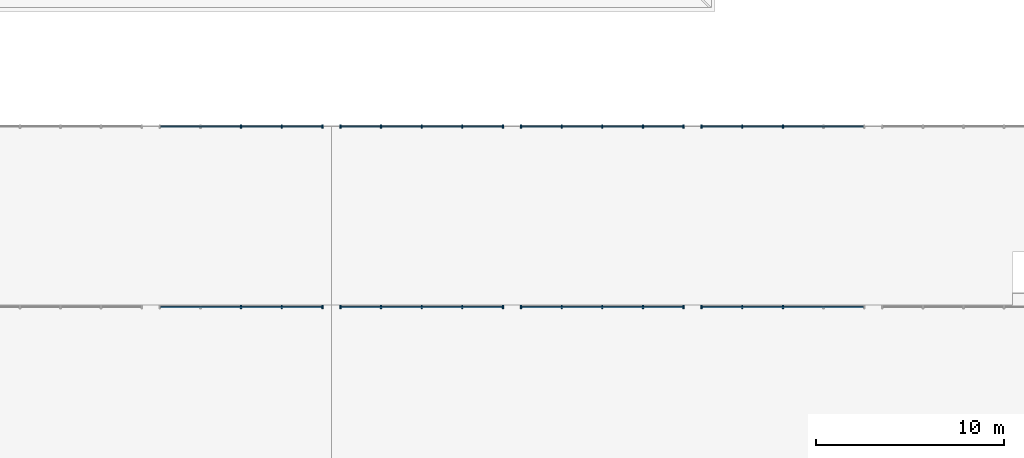
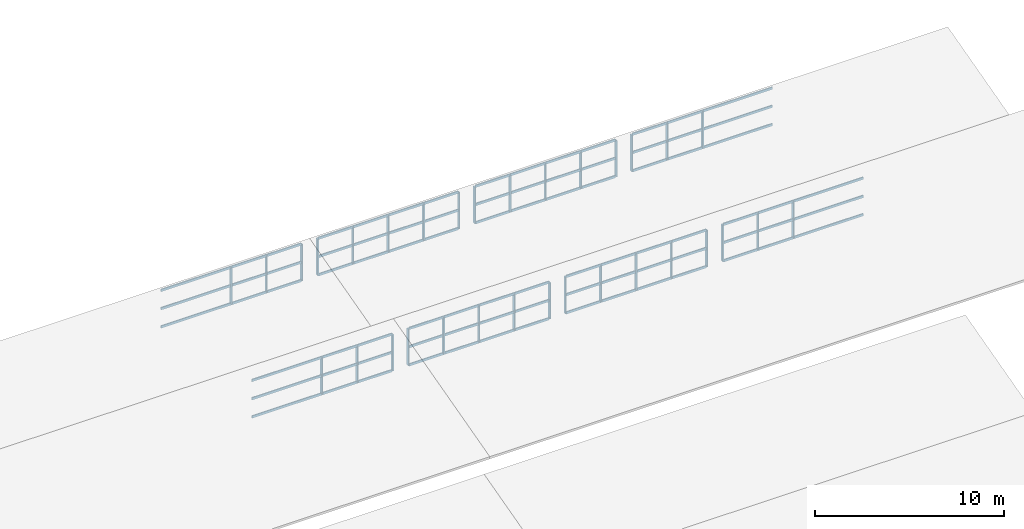
# One storey, part 7 of 18: 56 members, 8 elements without a shape of their own.
"""IFC4 building model written with IfcOpenShell, lengths in metres."""

import ifcopenshell
import ifcopenshell.guid

model = None  # the IFC model being written
_history = None  # IfcOwnerHistory: only IFC2X3 demands one
_inside = {}  # id of a spatial element -> (the spatial element, [elements in it])
_under = {}  # id of a project, library or spatial element -> (it, [spatial elements below it])
_declared = {}  # id of a project -> (the project, [libraries it declares])
_typed = {}  # id of a type object -> (the type object, [elements of that type])
_made_of = {}  # id of a material, layer set ... -> (it, [elements and type objects made of it])


def new_model(schema):
    """Start an empty IFC model of exactly this schema.

    Asked for "IFC4X3", IfcOpenShell would pick the latest addendum, in which some entities
    have other attributes; the version numbers below select the first issue.
    IFC2X3 requires an IfcOwnerHistory on every rooted entity: one is made here for all.
    """
    global model, _history
    if schema == "IFC4X3":
        model = ifcopenshell.file(schema_version=(4, 3, 0, 0))
    else:
        model = ifcopenshell.file(schema=schema)
    _inside.clear()
    _under.clear()
    _declared.clear()
    _typed.clear()
    _made_of.clear()
    _history = None
    if model.schema == "IFC2X3":
        org = make("IfcOrganization", Name="unknown")
        user = make(
            "IfcPersonAndOrganization",
            ThePerson=make("IfcPerson", FamilyName="unknown"),
            TheOrganization=org,
        )
        app = make(
            "IfcApplication",
            ApplicationDeveloper=org,
            Version="unknown",
            ApplicationFullName="unknown",
            ApplicationIdentifier="unknown",
        )
        _history = make(
            "IfcOwnerHistory",
            OwningUser=user,
            OwningApplication=app,
            ChangeAction="ADDED",
            CreationDate=0,
        )
    return model


def make(cls, **values):
    """One entity of the class cls with the attributes given. An attribute that is None is left unset."""
    return model.create_entity(
        cls, **{name: value for name, value in values.items() if value is not None}
    )


def rooted(cls, **values):
    """An entity with a GlobalId (a new one), such as an element, a storey or a relation."""
    return make(cls, GlobalId=ifcopenshell.guid.new(), OwnerHistory=_history, **values)


def si_unit(unit_type, name, prefix=None):
    """IfcSIUnit, for example si_unit("LENGTHUNIT", "METRE", prefix="MILLI")."""
    return make("IfcSIUnit", UnitType=unit_type, Prefix=prefix, Name=name)


def assignment(units):
    """IfcUnitAssignment: the units of a project."""
    return None if units is None else make("IfcUnitAssignment", Units=units)


def point(xyz):
    """IfcCartesianPoint."""
    return None if xyz is None else make("IfcCartesianPoint", Coordinates=xyz)


def direction(xyz):
    """IfcDirection."""
    return None if xyz is None else make("IfcDirection", DirectionRatios=xyz)


def frame(location, z_axis=None, x_axis=None):
    """IfcAxis2Placement3D, a coordinate frame: its origin and axes. An axis left out is left unset."""
    return make(
        "IfcAxis2Placement3D",
        Location=point(location),
        Axis=direction(z_axis),
        RefDirection=direction(x_axis),
    )


def frame_2d(location, x_axis=None):
    """IfcAxis2Placement2D, a coordinate frame in the plane: its origin and x axis."""
    return make(
        "IfcAxis2Placement2D", Location=point(location), RefDirection=direction(x_axis)
    )


def origin():
    """The frame at (0, 0, 0) with its axes left unset."""
    return frame((0.0, 0.0, 0.0))


def origin_2d():
    """The frame at (0, 0) in the plane with its x axis left unset."""
    return frame_2d((0.0, 0.0))


def place(relative_to, where):
    """IfcLocalPlacement: puts the frame where relative to a parent placement (None: the world)."""
    return make(
        "IfcLocalPlacement", PlacementRelTo=relative_to, RelativePlacement=where
    )


def context(
    kind, dimensions, precision=None, world=None, true_north=None, identifier=None
):
    """IfcGeometricRepresentationContext, for example the 3D "Model" context."""
    return make(
        "IfcGeometricRepresentationContext",
        ContextIdentifier=identifier,
        ContextType=kind,
        CoordinateSpaceDimension=dimensions,
        Precision=precision,
        WorldCoordinateSystem=world,
        TrueNorth=true_north,
    )


def subcontext(parent, identifier, kind, view, scale=None):
    """IfcGeometricRepresentationSubContext, for example "Body" below "Model"."""
    return make(
        "IfcGeometricRepresentationSubContext",
        ContextIdentifier=identifier,
        ContextType=kind,
        ParentContext=parent,
        TargetScale=scale,
        TargetView=view,
    )


def project(units=None, contexts=None):
    """IfcProject with its units and contexts."""
    return rooted(
        "IfcProject",
        Name="project",
        RepresentationContexts=contexts,
        UnitsInContext=assignment(units),
    )


def spatial(cls, under=None, at=None, **own):
    """A site, building, storey or space (cls), placed at a placement, below another one or the project."""
    s = rooted(cls, ObjectPlacement=at, **own)
    if under is not None:
        _under.setdefault(under.id(), (under, []))[1].append(s)
    return s


def profile(cls, at=None, kind="AREA", **sizes):
    """A parametric profile (cls). Its sizes go by their IFC names, for example OverallWidth=200.0."""
    return make(cls, ProfileType=kind, Position=at, **sizes)


def rectangle(**sizes):
    """IfcRectangleProfileDef."""
    return profile("IfcRectangleProfileDef", **sizes)


def extrude(swept, where, along, depth):
    """IfcExtrudedAreaSolid: the profile swept, set in the frame where, extruded along a direction by depth."""
    return make(
        "IfcExtrudedAreaSolid",
        SweptArea=swept,
        Position=where,
        ExtrudedDirection=direction(along),
        Depth=depth,
    )


def shape(context_of_items, identifier, shape_type, items):
    """IfcShapeRepresentation: the items that make up one representation, for example the "Body"."""
    return make(
        "IfcShapeRepresentation",
        ContextOfItems=context_of_items,
        RepresentationIdentifier=identifier,
        RepresentationType=shape_type,
        Items=items,
    )


def material(Name=None, Category=None):
    """IfcMaterial."""
    return make("IfcMaterial", Name=Name, Category=Category)


def layer(
    of_material, thickness, ventilated=None, Name=None, Category=None, Priority=None
):
    """IfcMaterialLayer: one layer of a wall or slab, of a material (None: an air gap)."""
    return make(
        "IfcMaterialLayer",
        Material=of_material,
        LayerThickness=thickness,
        IsVentilated=ventilated,
        Name=Name,
        Category=Category,
        Priority=Priority,
    )


def layer_set(layers, Name=None):
    """IfcMaterialLayerSet."""
    return make("IfcMaterialLayerSet", MaterialLayers=layers, LayerSetName=Name)


def material_profile(
    of_material, cross_section, Name=None, Category=None, Priority=None
):
    """IfcMaterialProfile: a cross section and its material."""
    return make(
        "IfcMaterialProfile",
        Name=Name,
        Material=of_material,
        Profile=cross_section,
        Priority=Priority,
        Category=Category,
    )


def profile_set(profiles, Name=None, composite=None):
    """IfcMaterialProfileSet."""
    return make(
        "IfcMaterialProfileSet",
        Name=Name,
        MaterialProfiles=profiles,
        CompositeProfile=composite,
    )


def made_of(thing, what):
    """Note that an element or type object is made of a material, layer set ...; save() writes the relation."""
    if what is not None:
        _made_of.setdefault(what.id(), (what, []))[1].append(thing)
    return thing


def type_object(cls, material=None, **own):
    """A type object (cls), such as IfcWallType, which elements share."""
    return made_of(rooted(cls, **own), material)


def element(
    cls,
    number,
    at=None,
    inside=None,
    cuts=None,
    type_object=None,
    material=None,
    context=None,
    identifier="Body",
    shape_type=None,
    held_by="IfcProductDefinitionShape",
    body=None,
    shapes=None,
    **own,
):
    """One element of the class cls, such as IfcWall. Its Tag is "e" and its number.

    at: its placement. inside: the storey or other place that contains it. cuts: it is an
    opening in that element (IfcRelVoidsElement). A single representation is given by context,
    identifier, shape_type and body (its items); several are given by shapes. held_by: the class
    of the entity that holds the representations. save() writes the other relations.
    """
    e = rooted(cls, Tag="e%d" % number, ObjectPlacement=at, **own)
    if body is not None:
        shapes = [shape(context, identifier, shape_type, body)]
    if shapes is not None:
        e.Representation = make(held_by, Representations=shapes)
    if inside is not None:
        _inside.setdefault(inside.id(), (inside, []))[1].append(e)
    if cuts is not None:
        rooted(
            "IfcRelVoidsElement", RelatingBuildingElement=cuts, RelatedOpeningElement=e
        )
    if type_object is not None:
        _typed.setdefault(type_object.id(), (type_object, []))[1].append(e)
    return made_of(e, material)


def aggregate(whole, parts):
    """IfcRelAggregates: a whole, such as a stair, and the parts it consists of."""
    return rooted("IfcRelAggregates", RelatingObject=whole, RelatedObjects=parts)


def save(model, path):
    """Write the relations noted so far, then the file.

    IfcRelAggregates (storeys below a building ...), IfcRelContainedInSpatialStructure (elements
    in a storey), IfcRelDefinesByType, IfcRelAssociatesMaterial and IfcRelDeclares: one each for
    every whole, place, type object, material and project.
    """
    for whole, parts in _under.values():
        aggregate(whole, parts)
    for where, things in _inside.values():
        rooted(
            "IfcRelContainedInSpatialStructure",
            RelatedElements=things,
            RelatingStructure=where,
        )
    for kind, things in _typed.values():
        rooted("IfcRelDefinesByType", RelatedObjects=things, RelatingType=kind)
    for what, things in _made_of.values():
        rooted("IfcRelAssociatesMaterial", RelatedObjects=things, RelatingMaterial=what)
    for by, libraries in _declared.values():
        rooted("IfcRelDeclares", RelatingContext=by, RelatedDefinitions=libraries)
    model.write(path)


model = new_model("IFC4")

# Units and contexts
model_context = context("Model", 3, precision=1e-05, world=origin(), true_north=direction((0.0, 1.0)))
body_context = subcontext(model_context, "Body", "Model", "MODEL_VIEW")
ifc_project = project(units=[si_unit("LENGTHUNIT", "METRE"), si_unit("AREAUNIT", "SQUARE_METRE"), si_unit("VOLUMEUNIT", "CUBIC_METRE"), si_unit("PLANEANGLEUNIT", "RADIAN"), si_unit("MASSUNIT", "GRAM", prefix="KILO")], contexts=[model_context])

# Site, building, storey
site_placement = place(None, origin())
site = spatial("IfcSite", under=ifc_project, at=site_placement, CompositionType="ELEMENT")
building_placement = place(site_placement, origin())
building = spatial("IfcBuilding", under=site, at=building_placement, Name="Bempovik Park Faculty of Sciences", CompositionType="ELEMENT")
storey_placement = place(building_placement, frame((0.0, 0.0, 50.10009765625)))
storey = spatial("IfcBuildingStorey", under=building, at=storey_placement, Name="Roof", CompositionType="ELEMENT", Elevation=50.10009765625)

# Curtain wall, members
ifc_material_1 = material(Name="Tempered laminated low-E glass", Category="glass")
ifc_layer = layer(ifc_material_1, 0.159912109375)
ifc_layer_set = layer_set([ifc_layer], Name="Tempered laminated low-E glass")
curtain_wall_type = type_object("IfcCurtainWallType", Name="CW-15 Curtain 8000x2550", PredefinedType="USERDEFINED", material=ifc_layer_set)
curtain_wall_1_placement = place(storey_placement, origin())
curtain_wall_1 = element("IfcCurtainWall", 1, at=curtain_wall_1_placement, inside=storey, type_object=curtain_wall_type, Name="V2 Atrium Sawtooth North-Light Clerestory Bay 1 (79.2-88.8)", ObjectType="NORTH LIGHT CLERESTORY", PredefinedType="USERDEFINED")
ifc_material_2 = material(Name="Anodised aluminium", Category="aluminium")
ifc_material_profile_1 = material_profile(ifc_material_2, rectangle(XDim=0.070068359375, YDim=0.179931640625, at=origin_2d()), Name="ALU-M 70x180")
ifc_profile_set_1 = profile_set([ifc_material_profile_1], Name="Anodised aluminium")
member_type_1 = type_object("IfcMemberType", Name="ML-26 ALU-M 70x180", PredefinedType="MULLION", material=ifc_profile_set_1)
member_1_placement = place(storey_placement, frame((84.0, 77.280029296875, -25.97021484375), z_axis=(0.0, 0.0, 1.0), x_axis=(1.0, 0.0, 0.0)))
member_1 = element("IfcMember", 2, at=member_1_placement, type_object=member_type_1, Name="CW-NL-V2-B1-792 Mullion 2", PredefinedType="MULLION", context=body_context, shape_type="SweptSolid", body=[
    extrude(rectangle(XDim=0.070068359375, YDim=0.179931640625, at=origin_2d()), origin(), (0.0, 0.0, 1.0), 2.3525390625),
])
member_2_placement = place(storey_placement, frame((86.159912109375, 77.280029296875, -25.97021484375), z_axis=(0.0, 0.0, 1.0), x_axis=(1.0, 0.0, 0.0)))
member_2 = element("IfcMember", 3, at=member_2_placement, type_object=member_type_1, Name="CW-NL-V2-B1-792 Mullion 3", PredefinedType="MULLION", context=body_context, shape_type="SweptSolid", body=[
    extrude(rectangle(XDim=0.070068359375, YDim=0.179931640625, at=origin_2d()), origin(), (0.0, 0.0, 1.0), 2.3525390625),
])
member_3_placement = place(storey_placement, frame((88.320068359375, 77.280029296875, -25.97021484375), z_axis=(0.0, 0.0, 1.0), x_axis=(1.0, 0.0, 0.0)))
member_3 = element("IfcMember", 4, at=member_3_placement, type_object=member_type_1, Name="CW-NL-V2-B1-792 Mullion 4", PredefinedType="MULLION", context=body_context, shape_type="SweptSolid", body=[
    extrude(rectangle(XDim=0.070068359375, YDim=0.179931640625, at=origin_2d()), origin(), (0.0, 0.0, 1.0), 2.3525390625),
])

curtain_wall_2_placement = place(storey_placement, origin())
curtain_wall_2 = element("IfcCurtainWall", 5, at=curtain_wall_2_placement, inside=storey, type_object=curtain_wall_type, Name="V2 Atrium Sawtooth North-Light Clerestory Bay 1 (88.8-98.4)", ObjectType="NORTH LIGHT CLERESTORY", PredefinedType="USERDEFINED")
member_4_placement = place(storey_placement, frame((89.280029296875, 77.280029296875, -25.97021484375), z_axis=(0.0, 0.0, 1.0), x_axis=(1.0, 0.0, 0.0)))
member_4 = element("IfcMember", 6, at=member_4_placement, type_object=member_type_1, Name="CW-NL-V2-B1-888 Mullion 0", PredefinedType="MULLION", context=body_context, shape_type="SweptSolid", body=[
    extrude(rectangle(XDim=0.070068359375, YDim=0.179931640625, at=origin_2d()), origin(), (0.0, 0.0, 1.0), 2.3525390625),
])
member_5_placement = place(storey_placement, frame((91.43994140625, 77.280029296875, -25.97021484375), z_axis=(0.0, 0.0, 1.0), x_axis=(1.0, 0.0, 0.0)))
member_5 = element("IfcMember", 7, at=member_5_placement, type_object=member_type_1, Name="CW-NL-V2-B1-888 Mullion 1", PredefinedType="MULLION", context=body_context, shape_type="SweptSolid", body=[
    extrude(rectangle(XDim=0.070068359375, YDim=0.179931640625, at=origin_2d()), origin(), (0.0, 0.0, 1.0), 2.3525390625),
])
member_6_placement = place(storey_placement, frame((93.60009765625, 77.280029296875, -25.97021484375), z_axis=(0.0, 0.0, 1.0), x_axis=(1.0, 0.0, 0.0)))
member_6 = element("IfcMember", 8, at=member_6_placement, type_object=member_type_1, Name="CW-NL-V2-B1-888 Mullion 2", PredefinedType="MULLION", context=body_context, shape_type="SweptSolid", body=[
    extrude(rectangle(XDim=0.070068359375, YDim=0.179931640625, at=origin_2d()), origin(), (0.0, 0.0, 1.0), 2.3525390625),
])
member_7_placement = place(storey_placement, frame((95.760009765625, 77.280029296875, -25.97021484375), z_axis=(0.0, 0.0, 1.0), x_axis=(1.0, 0.0, 0.0)))
member_7 = element("IfcMember", 9, at=member_7_placement, type_object=member_type_1, Name="CW-NL-V2-B1-888 Mullion 3", PredefinedType="MULLION", context=body_context, shape_type="SweptSolid", body=[
    extrude(rectangle(XDim=0.070068359375, YDim=0.179931640625, at=origin_2d()), origin(), (0.0, 0.0, 1.0), 2.3525390625),
])
member_8_placement = place(storey_placement, frame((97.919921875, 77.280029296875, -25.97021484375), z_axis=(0.0, 0.0, 1.0), x_axis=(1.0, 0.0, 0.0)))
member_8 = element("IfcMember", 10, at=member_8_placement, type_object=member_type_1, Name="CW-NL-V2-B1-888 Mullion 4", PredefinedType="MULLION", context=body_context, shape_type="SweptSolid", body=[
    extrude(rectangle(XDim=0.070068359375, YDim=0.179931640625, at=origin_2d()), origin(), (0.0, 0.0, 1.0), 2.3525390625),
])

curtain_wall_3_placement = place(storey_placement, origin())
curtain_wall_3 = element("IfcCurtainWall", 11, at=curtain_wall_3_placement, inside=storey, type_object=curtain_wall_type, Name="V2 Atrium Sawtooth North-Light Clerestory Bay 1 (98.4-108.0)", ObjectType="NORTH LIGHT CLERESTORY", PredefinedType="USERDEFINED")
member_9_placement = place(storey_placement, frame((98.8798828125, 77.280029296875, -25.97021484375), z_axis=(0.0, 0.0, 1.0), x_axis=(1.0, 0.0, 0.0)))
member_9 = element("IfcMember", 12, at=member_9_placement, type_object=member_type_1, Name="CW-NL-V2-B1-984 Mullion 0", PredefinedType="MULLION", context=body_context, shape_type="SweptSolid", body=[
    extrude(rectangle(XDim=0.070068359375, YDim=0.179931640625, at=origin_2d()), origin(), (0.0, 0.0, 1.0), 2.3525390625),
])
member_10_placement = place(storey_placement, frame((101.0400390625, 77.280029296875, -25.97021484375), z_axis=(0.0, 0.0, 1.0), x_axis=(1.0, 0.0, 0.0)))
member_10 = element("IfcMember", 13, at=member_10_placement, type_object=member_type_1, Name="CW-NL-V2-B1-984 Mullion 1", PredefinedType="MULLION", context=body_context, shape_type="SweptSolid", body=[
    extrude(rectangle(XDim=0.070068359375, YDim=0.179931640625, at=origin_2d()), origin(), (0.0, 0.0, 1.0), 2.3525390625),
])
member_11_placement = place(storey_placement, frame((103.199951171875, 77.280029296875, -25.97021484375), z_axis=(0.0, 0.0, 1.0), x_axis=(1.0, 0.0, 0.0)))
member_11 = element("IfcMember", 14, at=member_11_placement, type_object=member_type_1, Name="CW-NL-V2-B1-984 Mullion 2", PredefinedType="MULLION", context=body_context, shape_type="SweptSolid", body=[
    extrude(rectangle(XDim=0.070068359375, YDim=0.179931640625, at=origin_2d()), origin(), (0.0, 0.0, 1.0), 2.3525390625),
])
member_12_placement = place(storey_placement, frame((105.360107421875, 77.280029296875, -25.97021484375), z_axis=(0.0, 0.0, 1.0), x_axis=(1.0, 0.0, 0.0)))
member_12 = element("IfcMember", 15, at=member_12_placement, type_object=member_type_1, Name="CW-NL-V2-B1-984 Mullion 3", PredefinedType="MULLION", context=body_context, shape_type="SweptSolid", body=[
    extrude(rectangle(XDim=0.070068359375, YDim=0.179931640625, at=origin_2d()), origin(), (0.0, 0.0, 1.0), 2.3525390625),
])
member_13_placement = place(storey_placement, frame((107.52001953125, 77.280029296875, -25.97021484375), z_axis=(0.0, 0.0, 1.0), x_axis=(1.0, 0.0, 0.0)))
member_13 = element("IfcMember", 16, at=member_13_placement, type_object=member_type_1, Name="CW-NL-V2-B1-984 Mullion 4", PredefinedType="MULLION", context=body_context, shape_type="SweptSolid", body=[
    extrude(rectangle(XDim=0.070068359375, YDim=0.179931640625, at=origin_2d()), origin(), (0.0, 0.0, 1.0), 2.3525390625),
])

curtain_wall_4_placement = place(storey_placement, origin())
curtain_wall_4 = element("IfcCurtainWall", 17, at=curtain_wall_4_placement, inside=storey, type_object=curtain_wall_type, Name="V2 Atrium Sawtooth North-Light Clerestory Bay 1 (108.0-117.6)", ObjectType="NORTH LIGHT CLERESTORY", PredefinedType="USERDEFINED")
member_14_placement = place(storey_placement, frame((108.47998046875, 77.280029296875, -25.97021484375), z_axis=(0.0, 0.0, 1.0), x_axis=(1.0, 0.0, 0.0)))
member_14 = element("IfcMember", 18, at=member_14_placement, type_object=member_type_1, Name="CW-NL-V2-B1-1080 Mullion 0", PredefinedType="MULLION", context=body_context, shape_type="SweptSolid", body=[
    extrude(rectangle(XDim=0.070068359375, YDim=0.179931640625, at=origin_2d()), origin(), (0.0, 0.0, 1.0), 2.3525390625),
])
member_15_placement = place(storey_placement, frame((110.639892578125, 77.280029296875, -25.97021484375), z_axis=(0.0, 0.0, 1.0), x_axis=(1.0, 0.0, 0.0)))
member_15 = element("IfcMember", 19, at=member_15_placement, type_object=member_type_1, Name="CW-NL-V2-B1-1080 Mullion 1", PredefinedType="MULLION", context=body_context, shape_type="SweptSolid", body=[
    extrude(rectangle(XDim=0.070068359375, YDim=0.179931640625, at=origin_2d()), origin(), (0.0, 0.0, 1.0), 2.3525390625),
])
member_16_placement = place(storey_placement, frame((112.800048828125, 77.280029296875, -25.97021484375), z_axis=(0.0, 0.0, 1.0), x_axis=(1.0, 0.0, 0.0)))
member_16 = element("IfcMember", 20, at=member_16_placement, type_object=member_type_1, Name="CW-NL-V2-B1-1080 Mullion 2", PredefinedType="MULLION", context=body_context, shape_type="SweptSolid", body=[
    extrude(rectangle(XDim=0.070068359375, YDim=0.179931640625, at=origin_2d()), origin(), (0.0, 0.0, 1.0), 2.3525390625),
])

curtain_wall_5_placement = place(storey_placement, origin())
curtain_wall_5 = element("IfcCurtainWall", 21, at=curtain_wall_5_placement, inside=storey, type_object=curtain_wall_type, Name="V2 Atrium Sawtooth North-Light Clerestory Bay 2 (79.2-88.8)", ObjectType="NORTH LIGHT CLERESTORY", PredefinedType="USERDEFINED")
member_17_placement = place(storey_placement, frame((84.0, 86.8798828125, -25.97021484375), z_axis=(0.0, 0.0, 1.0), x_axis=(1.0, 0.0, 0.0)))
member_17 = element("IfcMember", 22, at=member_17_placement, type_object=member_type_1, Name="CW-NL-V2-B2-792 Mullion 2", PredefinedType="MULLION", context=body_context, shape_type="SweptSolid", body=[
    extrude(rectangle(XDim=0.070068359375, YDim=0.179931640625, at=origin_2d()), origin(), (0.0, 0.0, 1.0), 2.3525390625),
])
member_18_placement = place(storey_placement, frame((86.159912109375, 86.8798828125, -25.97021484375), z_axis=(0.0, 0.0, 1.0), x_axis=(1.0, 0.0, 0.0)))
member_18 = element("IfcMember", 23, at=member_18_placement, type_object=member_type_1, Name="CW-NL-V2-B2-792 Mullion 3", PredefinedType="MULLION", context=body_context, shape_type="SweptSolid", body=[
    extrude(rectangle(XDim=0.070068359375, YDim=0.179931640625, at=origin_2d()), origin(), (0.0, 0.0, 1.0), 2.3525390625),
])
member_19_placement = place(storey_placement, frame((88.320068359375, 86.8798828125, -25.97021484375), z_axis=(0.0, 0.0, 1.0), x_axis=(1.0, 0.0, 0.0)))
member_19 = element("IfcMember", 24, at=member_19_placement, type_object=member_type_1, Name="CW-NL-V2-B2-792 Mullion 4", PredefinedType="MULLION", context=body_context, shape_type="SweptSolid", body=[
    extrude(rectangle(XDim=0.070068359375, YDim=0.179931640625, at=origin_2d()), origin(), (0.0, 0.0, 1.0), 2.3525390625),
])

curtain_wall_6_placement = place(storey_placement, origin())
curtain_wall_6 = element("IfcCurtainWall", 25, at=curtain_wall_6_placement, inside=storey, type_object=curtain_wall_type, Name="V2 Atrium Sawtooth North-Light Clerestory Bay 2 (88.8-98.4)", ObjectType="NORTH LIGHT CLERESTORY", PredefinedType="USERDEFINED")
member_20_placement = place(storey_placement, frame((89.280029296875, 86.8798828125, -25.97021484375), z_axis=(0.0, 0.0, 1.0), x_axis=(1.0, 0.0, 0.0)))
member_20 = element("IfcMember", 26, at=member_20_placement, type_object=member_type_1, Name="CW-NL-V2-B2-888 Mullion 0", PredefinedType="MULLION", context=body_context, shape_type="SweptSolid", body=[
    extrude(rectangle(XDim=0.070068359375, YDim=0.179931640625, at=origin_2d()), origin(), (0.0, 0.0, 1.0), 2.3525390625),
])
member_21_placement = place(storey_placement, frame((91.43994140625, 86.8798828125, -25.97021484375), z_axis=(0.0, 0.0, 1.0), x_axis=(1.0, 0.0, 0.0)))
member_21 = element("IfcMember", 27, at=member_21_placement, type_object=member_type_1, Name="CW-NL-V2-B2-888 Mullion 1", PredefinedType="MULLION", context=body_context, shape_type="SweptSolid", body=[
    extrude(rectangle(XDim=0.070068359375, YDim=0.179931640625, at=origin_2d()), origin(), (0.0, 0.0, 1.0), 2.3525390625),
])
member_22_placement = place(storey_placement, frame((93.60009765625, 86.8798828125, -25.97021484375), z_axis=(0.0, 0.0, 1.0), x_axis=(1.0, 0.0, 0.0)))
member_22 = element("IfcMember", 28, at=member_22_placement, type_object=member_type_1, Name="CW-NL-V2-B2-888 Mullion 2", PredefinedType="MULLION", context=body_context, shape_type="SweptSolid", body=[
    extrude(rectangle(XDim=0.070068359375, YDim=0.179931640625, at=origin_2d()), origin(), (0.0, 0.0, 1.0), 2.3525390625),
])
member_23_placement = place(storey_placement, frame((95.760009765625, 86.8798828125, -25.97021484375), z_axis=(0.0, 0.0, 1.0), x_axis=(1.0, 0.0, 0.0)))
member_23 = element("IfcMember", 29, at=member_23_placement, type_object=member_type_1, Name="CW-NL-V2-B2-888 Mullion 3", PredefinedType="MULLION", context=body_context, shape_type="SweptSolid", body=[
    extrude(rectangle(XDim=0.070068359375, YDim=0.179931640625, at=origin_2d()), origin(), (0.0, 0.0, 1.0), 2.3525390625),
])
member_24_placement = place(storey_placement, frame((97.919921875, 86.8798828125, -25.97021484375), z_axis=(0.0, 0.0, 1.0), x_axis=(1.0, 0.0, 0.0)))
member_24 = element("IfcMember", 30, at=member_24_placement, type_object=member_type_1, Name="CW-NL-V2-B2-888 Mullion 4", PredefinedType="MULLION", context=body_context, shape_type="SweptSolid", body=[
    extrude(rectangle(XDim=0.070068359375, YDim=0.179931640625, at=origin_2d()), origin(), (0.0, 0.0, 1.0), 2.3525390625),
])

curtain_wall_7_placement = place(storey_placement, origin())
curtain_wall_7 = element("IfcCurtainWall", 31, at=curtain_wall_7_placement, inside=storey, type_object=curtain_wall_type, Name="V2 Atrium Sawtooth North-Light Clerestory Bay 2 (98.4-108.0)", ObjectType="NORTH LIGHT CLERESTORY", PredefinedType="USERDEFINED")
member_25_placement = place(storey_placement, frame((98.8798828125, 86.8798828125, -25.97021484375), z_axis=(0.0, 0.0, 1.0), x_axis=(1.0, 0.0, 0.0)))
member_25 = element("IfcMember", 32, at=member_25_placement, type_object=member_type_1, Name="CW-NL-V2-B2-984 Mullion 0", PredefinedType="MULLION", context=body_context, shape_type="SweptSolid", body=[
    extrude(rectangle(XDim=0.070068359375, YDim=0.179931640625, at=origin_2d()), origin(), (0.0, 0.0, 1.0), 2.3525390625),
])
member_26_placement = place(storey_placement, frame((101.0400390625, 86.8798828125, -25.97021484375), z_axis=(0.0, 0.0, 1.0), x_axis=(1.0, 0.0, 0.0)))
member_26 = element("IfcMember", 33, at=member_26_placement, type_object=member_type_1, Name="CW-NL-V2-B2-984 Mullion 1", PredefinedType="MULLION", context=body_context, shape_type="SweptSolid", body=[
    extrude(rectangle(XDim=0.070068359375, YDim=0.179931640625, at=origin_2d()), origin(), (0.0, 0.0, 1.0), 2.3525390625),
])
member_27_placement = place(storey_placement, frame((103.199951171875, 86.8798828125, -25.97021484375), z_axis=(0.0, 0.0, 1.0), x_axis=(1.0, 0.0, 0.0)))
member_27 = element("IfcMember", 34, at=member_27_placement, type_object=member_type_1, Name="CW-NL-V2-B2-984 Mullion 2", PredefinedType="MULLION", context=body_context, shape_type="SweptSolid", body=[
    extrude(rectangle(XDim=0.070068359375, YDim=0.179931640625, at=origin_2d()), origin(), (0.0, 0.0, 1.0), 2.3525390625),
])
member_28_placement = place(storey_placement, frame((105.360107421875, 86.8798828125, -25.97021484375), z_axis=(0.0, 0.0, 1.0), x_axis=(1.0, 0.0, 0.0)))
member_28 = element("IfcMember", 35, at=member_28_placement, type_object=member_type_1, Name="CW-NL-V2-B2-984 Mullion 3", PredefinedType="MULLION", context=body_context, shape_type="SweptSolid", body=[
    extrude(rectangle(XDim=0.070068359375, YDim=0.179931640625, at=origin_2d()), origin(), (0.0, 0.0, 1.0), 2.3525390625),
])
member_29_placement = place(storey_placement, frame((107.52001953125, 86.8798828125, -25.97021484375), z_axis=(0.0, 0.0, 1.0), x_axis=(1.0, 0.0, 0.0)))
member_29 = element("IfcMember", 36, at=member_29_placement, type_object=member_type_1, Name="CW-NL-V2-B2-984 Mullion 4", PredefinedType="MULLION", context=body_context, shape_type="SweptSolid", body=[
    extrude(rectangle(XDim=0.070068359375, YDim=0.179931640625, at=origin_2d()), origin(), (0.0, 0.0, 1.0), 2.3525390625),
])

curtain_wall_8_placement = place(storey_placement, origin())
curtain_wall_8 = element("IfcCurtainWall", 37, at=curtain_wall_8_placement, inside=storey, type_object=curtain_wall_type, Name="V2 Atrium Sawtooth North-Light Clerestory Bay 2 (108.0-117.6)", ObjectType="NORTH LIGHT CLERESTORY", PredefinedType="USERDEFINED")
member_30_placement = place(storey_placement, frame((108.47998046875, 86.8798828125, -25.97021484375), z_axis=(0.0, 0.0, 1.0), x_axis=(1.0, 0.0, 0.0)))
member_30 = element("IfcMember", 38, at=member_30_placement, type_object=member_type_1, Name="CW-NL-V2-B2-1080 Mullion 0", PredefinedType="MULLION", context=body_context, shape_type="SweptSolid", body=[
    extrude(rectangle(XDim=0.070068359375, YDim=0.179931640625, at=origin_2d()), origin(), (0.0, 0.0, 1.0), 2.3525390625),
])
member_31_placement = place(storey_placement, frame((110.639892578125, 86.8798828125, -25.97021484375), z_axis=(0.0, 0.0, 1.0), x_axis=(1.0, 0.0, 0.0)))
member_31 = element("IfcMember", 39, at=member_31_placement, type_object=member_type_1, Name="CW-NL-V2-B2-1080 Mullion 1", PredefinedType="MULLION", context=body_context, shape_type="SweptSolid", body=[
    extrude(rectangle(XDim=0.070068359375, YDim=0.179931640625, at=origin_2d()), origin(), (0.0, 0.0, 1.0), 2.3525390625),
])
member_32_placement = place(storey_placement, frame((112.800048828125, 86.8798828125, -25.97021484375), z_axis=(0.0, 0.0, 1.0), x_axis=(1.0, 0.0, 0.0)))
member_32 = element("IfcMember", 40, at=member_32_placement, type_object=member_type_1, Name="CW-NL-V2-B2-1080 Mullion 2", PredefinedType="MULLION", context=body_context, shape_type="SweptSolid", body=[
    extrude(rectangle(XDim=0.070068359375, YDim=0.179931640625, at=origin_2d()), origin(), (0.0, 0.0, 1.0), 2.3525390625),
])

# Member
ifc_material_profile_2 = material_profile(ifc_material_2, rectangle(XDim=0.070068359375, YDim=0.14990234375, at=origin_2d()), Name="ALU-T 70x150")
ifc_profile_set_2 = profile_set([ifc_material_profile_2], Name="Anodised aluminium")
member_type_2 = type_object("IfcMemberType", Name="TR-21 ALU-T 70x150", PredefinedType="USERDEFINED", material=ifc_profile_set_2)
member_33_placement = place(storey_placement, frame((79.719970703125, 77.280029296875, -25.97021484375), z_axis=(1.0, 0.0, 0.0), x_axis=(0.0, 1.0, 0.0)))
member_33 = element("IfcMember", 41, at=member_33_placement, type_object=member_type_2, Name="CW-NL-V2-B1-792 Transom 0", ObjectType="TRANSOM", PredefinedType="USERDEFINED", context=body_context, shape_type="SweptSolid", body=[
    extrude(rectangle(XDim=0.070068359375, YDim=0.14990234375, at=origin_2d()), origin(), (0.0, 0.0, 1.0), 8.56005859375),
])

member_34_placement = place(storey_placement, frame((79.719970703125, 77.280029296875, -24.7939453125), z_axis=(1.0, 0.0, 0.0), x_axis=(0.0, 1.0, 0.0)))
member_34 = element("IfcMember", 42, at=member_34_placement, type_object=member_type_2, Name="CW-NL-V2-B1-792 Transom 1", ObjectType="TRANSOM", PredefinedType="USERDEFINED", context=body_context, shape_type="SweptSolid", body=[
    extrude(rectangle(XDim=0.070068359375, YDim=0.14990234375, at=origin_2d()), origin(), (0.0, 0.0, 1.0), 8.56005859375),
])

member_35_placement = place(storey_placement, frame((79.719970703125, 77.280029296875, -23.61767578125), z_axis=(1.0, 0.0, 0.0), x_axis=(0.0, 1.0, 0.0)))
member_35 = element("IfcMember", 43, at=member_35_placement, type_object=member_type_2, Name="CW-NL-V2-B1-792 Transom 2", ObjectType="TRANSOM", PredefinedType="USERDEFINED", context=body_context, shape_type="SweptSolid", body=[
    extrude(rectangle(XDim=0.070068359375, YDim=0.14990234375, at=origin_2d()), origin(), (0.0, 0.0, 1.0), 8.56005859375),
])

aggregate(curtain_wall_1, [member_1, member_2, member_3, member_33, member_34, member_35])

member_36_placement = place(storey_placement, frame((89.320068359375, 77.280029296875, -25.97021484375), z_axis=(1.0, 0.0, 0.0), x_axis=(0.0, 1.0, 0.0)))
member_36 = element("IfcMember", 44, at=member_36_placement, type_object=member_type_2, Name="CW-NL-V2-B1-888 Transom 0", ObjectType="TRANSOM", PredefinedType="USERDEFINED", context=body_context, shape_type="SweptSolid", body=[
    extrude(rectangle(XDim=0.070068359375, YDim=0.14990234375, at=origin_2d()), origin(), (0.0, 0.0, 1.0), 8.559814453125),
])

member_37_placement = place(storey_placement, frame((89.320068359375, 77.280029296875, -24.7939453125), z_axis=(1.0, 0.0, 0.0), x_axis=(0.0, 1.0, 0.0)))
member_37 = element("IfcMember", 45, at=member_37_placement, type_object=member_type_2, Name="CW-NL-V2-B1-888 Transom 1", ObjectType="TRANSOM", PredefinedType="USERDEFINED", context=body_context, shape_type="SweptSolid", body=[
    extrude(rectangle(XDim=0.070068359375, YDim=0.14990234375, at=origin_2d()), origin(), (0.0, 0.0, 1.0), 8.559814453125),
])

member_38_placement = place(storey_placement, frame((89.320068359375, 77.280029296875, -23.61767578125), z_axis=(1.0, 0.0, 0.0), x_axis=(0.0, 1.0, 0.0)))
member_38 = element("IfcMember", 46, at=member_38_placement, type_object=member_type_2, Name="CW-NL-V2-B1-888 Transom 2", ObjectType="TRANSOM", PredefinedType="USERDEFINED", context=body_context, shape_type="SweptSolid", body=[
    extrude(rectangle(XDim=0.070068359375, YDim=0.14990234375, at=origin_2d()), origin(), (0.0, 0.0, 1.0), 8.559814453125),
])

aggregate(curtain_wall_2, [member_4, member_5, member_6, member_7, member_8, member_36, member_37, member_38])

member_39_placement = place(storey_placement, frame((98.919921875, 77.280029296875, -25.97021484375), z_axis=(1.0, 0.0, 0.0), x_axis=(0.0, 1.0, 0.0)))
member_39 = element("IfcMember", 47, at=member_39_placement, type_object=member_type_2, Name="CW-NL-V2-B1-984 Transom 0", ObjectType="TRANSOM", PredefinedType="USERDEFINED", context=body_context, shape_type="SweptSolid", body=[
    extrude(rectangle(XDim=0.070068359375, YDim=0.14990234375, at=origin_2d()), origin(), (0.0, 0.0, 1.0), 8.56005859375),
])

member_40_placement = place(storey_placement, frame((98.919921875, 77.280029296875, -24.7939453125), z_axis=(1.0, 0.0, 0.0), x_axis=(0.0, 1.0, 0.0)))
member_40 = element("IfcMember", 48, at=member_40_placement, type_object=member_type_2, Name="CW-NL-V2-B1-984 Transom 1", ObjectType="TRANSOM", PredefinedType="USERDEFINED", context=body_context, shape_type="SweptSolid", body=[
    extrude(rectangle(XDim=0.070068359375, YDim=0.14990234375, at=origin_2d()), origin(), (0.0, 0.0, 1.0), 8.56005859375),
])

member_41_placement = place(storey_placement, frame((98.919921875, 77.280029296875, -23.61767578125), z_axis=(1.0, 0.0, 0.0), x_axis=(0.0, 1.0, 0.0)))
member_41 = element("IfcMember", 49, at=member_41_placement, type_object=member_type_2, Name="CW-NL-V2-B1-984 Transom 2", ObjectType="TRANSOM", PredefinedType="USERDEFINED", context=body_context, shape_type="SweptSolid", body=[
    extrude(rectangle(XDim=0.070068359375, YDim=0.14990234375, at=origin_2d()), origin(), (0.0, 0.0, 1.0), 8.56005859375),
])

aggregate(curtain_wall_3, [member_9, member_10, member_11, member_12, member_13, member_39, member_40, member_41])

member_42_placement = place(storey_placement, frame((108.52001953125, 77.280029296875, -25.97021484375), z_axis=(1.0, 0.0, 0.0), x_axis=(0.0, 1.0, 0.0)))
member_42 = element("IfcMember", 50, at=member_42_placement, type_object=member_type_2, Name="CW-NL-V2-B1-1080 Transom 0", ObjectType="TRANSOM", PredefinedType="USERDEFINED", context=body_context, shape_type="SweptSolid", body=[
    extrude(rectangle(XDim=0.070068359375, YDim=0.14990234375, at=origin_2d()), origin(), (0.0, 0.0, 1.0), 8.56005859375),
])

member_43_placement = place(storey_placement, frame((108.52001953125, 77.280029296875, -24.7939453125), z_axis=(1.0, 0.0, 0.0), x_axis=(0.0, 1.0, 0.0)))
member_43 = element("IfcMember", 51, at=member_43_placement, type_object=member_type_2, Name="CW-NL-V2-B1-1080 Transom 1", ObjectType="TRANSOM", PredefinedType="USERDEFINED", context=body_context, shape_type="SweptSolid", body=[
    extrude(rectangle(XDim=0.070068359375, YDim=0.14990234375, at=origin_2d()), origin(), (0.0, 0.0, 1.0), 8.56005859375),
])

member_44_placement = place(storey_placement, frame((108.52001953125, 77.280029296875, -23.61767578125), z_axis=(1.0, 0.0, 0.0), x_axis=(0.0, 1.0, 0.0)))
member_44 = element("IfcMember", 52, at=member_44_placement, type_object=member_type_2, Name="CW-NL-V2-B1-1080 Transom 2", ObjectType="TRANSOM", PredefinedType="USERDEFINED", context=body_context, shape_type="SweptSolid", body=[
    extrude(rectangle(XDim=0.070068359375, YDim=0.14990234375, at=origin_2d()), origin(), (0.0, 0.0, 1.0), 8.56005859375),
])

aggregate(curtain_wall_4, [member_14, member_15, member_16, member_42, member_43, member_44])

member_45_placement = place(storey_placement, frame((79.719970703125, 86.8798828125, -25.97021484375), z_axis=(1.0, 0.0, 0.0), x_axis=(0.0, 1.0, 0.0)))
member_45 = element("IfcMember", 53, at=member_45_placement, type_object=member_type_2, Name="CW-NL-V2-B2-792 Transom 0", ObjectType="TRANSOM", PredefinedType="USERDEFINED", context=body_context, shape_type="SweptSolid", body=[
    extrude(rectangle(XDim=0.070068359375, YDim=0.14990234375, at=origin_2d()), origin(), (0.0, 0.0, 1.0), 8.56005859375),
])

member_46_placement = place(storey_placement, frame((79.719970703125, 86.8798828125, -24.7939453125), z_axis=(1.0, 0.0, 0.0), x_axis=(0.0, 1.0, 0.0)))
member_46 = element("IfcMember", 54, at=member_46_placement, type_object=member_type_2, Name="CW-NL-V2-B2-792 Transom 1", ObjectType="TRANSOM", PredefinedType="USERDEFINED", context=body_context, shape_type="SweptSolid", body=[
    extrude(rectangle(XDim=0.070068359375, YDim=0.14990234375, at=origin_2d()), origin(), (0.0, 0.0, 1.0), 8.56005859375),
])

member_47_placement = place(storey_placement, frame((79.719970703125, 86.8798828125, -23.61767578125), z_axis=(1.0, 0.0, 0.0), x_axis=(0.0, 1.0, 0.0)))
member_47 = element("IfcMember", 55, at=member_47_placement, type_object=member_type_2, Name="CW-NL-V2-B2-792 Transom 2", ObjectType="TRANSOM", PredefinedType="USERDEFINED", context=body_context, shape_type="SweptSolid", body=[
    extrude(rectangle(XDim=0.070068359375, YDim=0.14990234375, at=origin_2d()), origin(), (0.0, 0.0, 1.0), 8.56005859375),
])

aggregate(curtain_wall_5, [member_17, member_18, member_19, member_45, member_46, member_47])

member_48_placement = place(storey_placement, frame((89.320068359375, 86.8798828125, -25.97021484375), z_axis=(1.0, 0.0, 0.0), x_axis=(0.0, 1.0, 0.0)))
member_48 = element("IfcMember", 56, at=member_48_placement, type_object=member_type_2, Name="CW-NL-V2-B2-888 Transom 0", ObjectType="TRANSOM", PredefinedType="USERDEFINED", context=body_context, shape_type="SweptSolid", body=[
    extrude(rectangle(XDim=0.070068359375, YDim=0.14990234375, at=origin_2d()), origin(), (0.0, 0.0, 1.0), 8.559814453125),
])

member_49_placement = place(storey_placement, frame((89.320068359375, 86.8798828125, -24.7939453125), z_axis=(1.0, 0.0, 0.0), x_axis=(0.0, 1.0, 0.0)))
member_49 = element("IfcMember", 57, at=member_49_placement, type_object=member_type_2, Name="CW-NL-V2-B2-888 Transom 1", ObjectType="TRANSOM", PredefinedType="USERDEFINED", context=body_context, shape_type="SweptSolid", body=[
    extrude(rectangle(XDim=0.070068359375, YDim=0.14990234375, at=origin_2d()), origin(), (0.0, 0.0, 1.0), 8.559814453125),
])

member_50_placement = place(storey_placement, frame((89.320068359375, 86.8798828125, -23.61767578125), z_axis=(1.0, 0.0, 0.0), x_axis=(0.0, 1.0, 0.0)))
member_50 = element("IfcMember", 58, at=member_50_placement, type_object=member_type_2, Name="CW-NL-V2-B2-888 Transom 2", ObjectType="TRANSOM", PredefinedType="USERDEFINED", context=body_context, shape_type="SweptSolid", body=[
    extrude(rectangle(XDim=0.070068359375, YDim=0.14990234375, at=origin_2d()), origin(), (0.0, 0.0, 1.0), 8.559814453125),
])

aggregate(curtain_wall_6, [member_20, member_21, member_22, member_23, member_24, member_48, member_49, member_50])

member_51_placement = place(storey_placement, frame((98.919921875, 86.8798828125, -25.97021484375), z_axis=(1.0, 0.0, 0.0), x_axis=(0.0, 1.0, 0.0)))
member_51 = element("IfcMember", 59, at=member_51_placement, type_object=member_type_2, Name="CW-NL-V2-B2-984 Transom 0", ObjectType="TRANSOM", PredefinedType="USERDEFINED", context=body_context, shape_type="SweptSolid", body=[
    extrude(rectangle(XDim=0.070068359375, YDim=0.14990234375, at=origin_2d()), origin(), (0.0, 0.0, 1.0), 8.56005859375),
])

member_52_placement = place(storey_placement, frame((98.919921875, 86.8798828125, -24.7939453125), z_axis=(1.0, 0.0, 0.0), x_axis=(0.0, 1.0, 0.0)))
member_52 = element("IfcMember", 60, at=member_52_placement, type_object=member_type_2, Name="CW-NL-V2-B2-984 Transom 1", ObjectType="TRANSOM", PredefinedType="USERDEFINED", context=body_context, shape_type="SweptSolid", body=[
    extrude(rectangle(XDim=0.070068359375, YDim=0.14990234375, at=origin_2d()), origin(), (0.0, 0.0, 1.0), 8.56005859375),
])

member_53_placement = place(storey_placement, frame((98.919921875, 86.8798828125, -23.61767578125), z_axis=(1.0, 0.0, 0.0), x_axis=(0.0, 1.0, 0.0)))
member_53 = element("IfcMember", 61, at=member_53_placement, type_object=member_type_2, Name="CW-NL-V2-B2-984 Transom 2", ObjectType="TRANSOM", PredefinedType="USERDEFINED", context=body_context, shape_type="SweptSolid", body=[
    extrude(rectangle(XDim=0.070068359375, YDim=0.14990234375, at=origin_2d()), origin(), (0.0, 0.0, 1.0), 8.56005859375),
])

aggregate(curtain_wall_7, [member_25, member_26, member_27, member_28, member_29, member_51, member_52, member_53])

member_54_placement = place(storey_placement, frame((108.52001953125, 86.8798828125, -25.97021484375), z_axis=(1.0, 0.0, 0.0), x_axis=(0.0, 1.0, 0.0)))
member_54 = element("IfcMember", 62, at=member_54_placement, type_object=member_type_2, Name="CW-NL-V2-B2-1080 Transom 0", ObjectType="TRANSOM", PredefinedType="USERDEFINED", context=body_context, shape_type="SweptSolid", body=[
    extrude(rectangle(XDim=0.070068359375, YDim=0.14990234375, at=origin_2d()), origin(), (0.0, 0.0, 1.0), 8.56005859375),
])

member_55_placement = place(storey_placement, frame((108.52001953125, 86.8798828125, -24.7939453125), z_axis=(1.0, 0.0, 0.0), x_axis=(0.0, 1.0, 0.0)))
member_55 = element("IfcMember", 63, at=member_55_placement, type_object=member_type_2, Name="CW-NL-V2-B2-1080 Transom 1", ObjectType="TRANSOM", PredefinedType="USERDEFINED", context=body_context, shape_type="SweptSolid", body=[
    extrude(rectangle(XDim=0.070068359375, YDim=0.14990234375, at=origin_2d()), origin(), (0.0, 0.0, 1.0), 8.56005859375),
])

member_56_placement = place(storey_placement, frame((108.52001953125, 86.8798828125, -23.61767578125), z_axis=(1.0, 0.0, 0.0), x_axis=(0.0, 1.0, 0.0)))
member_56 = element("IfcMember", 64, at=member_56_placement, type_object=member_type_2, Name="CW-NL-V2-B2-1080 Transom 2", ObjectType="TRANSOM", PredefinedType="USERDEFINED", context=body_context, shape_type="SweptSolid", body=[
    extrude(rectangle(XDim=0.070068359375, YDim=0.14990234375, at=origin_2d()), origin(), (0.0, 0.0, 1.0), 8.56005859375),
])

aggregate(curtain_wall_8, [member_30, member_31, member_32, member_54, member_55, member_56])

save(model, "model.ifc")
